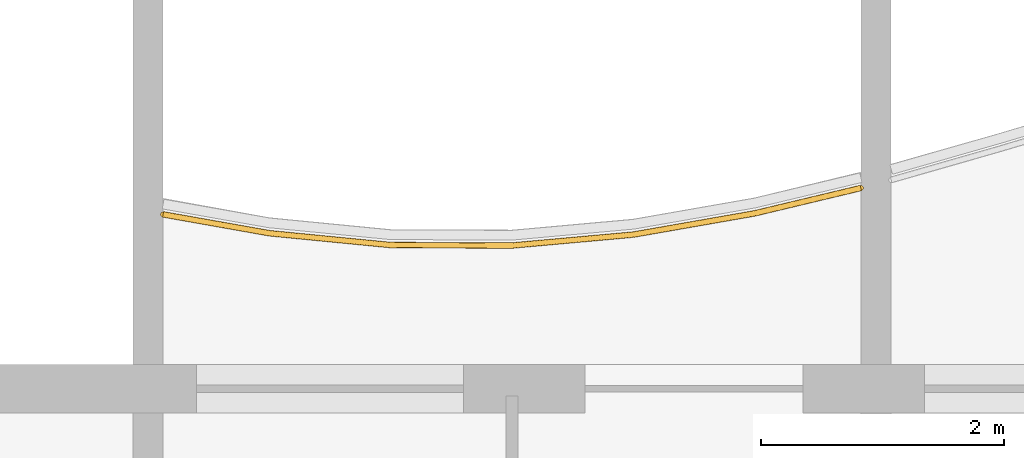
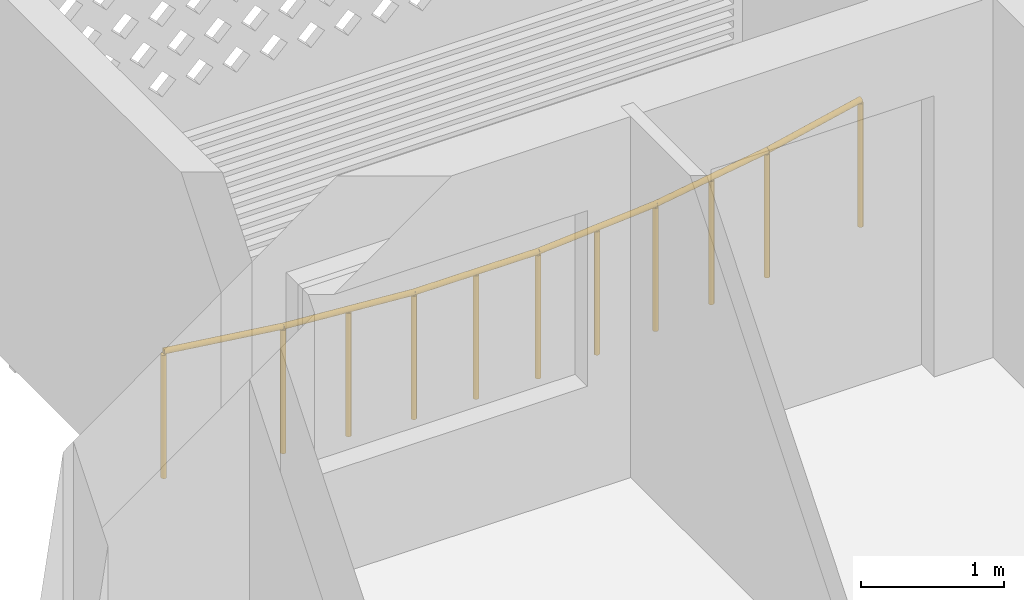
# One storey, part 16 of 27: 1 railing.
"""IFC4 building model written with IfcOpenShell, lengths in metres."""

from ifc_helpers import new_model, si_unit, direction, frame, origin, origin_2d, place, context, subcontext, project, spatial, circle, extrude, material, type_object, element, save


model = new_model("IFC4")

# Units and contexts
model_context = context("Model", 3, precision=1e-05, world=origin(), true_north=direction((0.0, 1.0)))
body_context = subcontext(model_context, "Body", "Model", "MODEL_VIEW")
ifc_project = project(units=[si_unit("LENGTHUNIT", "METRE"), si_unit("AREAUNIT", "SQUARE_METRE"), si_unit("VOLUMEUNIT", "CUBIC_METRE"), si_unit("PLANEANGLEUNIT", "RADIAN"), si_unit("MASSUNIT", "GRAM", prefix="KILO")], contexts=[model_context])

# Site, building, storey
site_placement = place(None, origin())
site = spatial("IfcSite", under=ifc_project, at=site_placement, CompositionType="ELEMENT")
building_placement = place(site_placement, origin())
building = spatial("IfcBuilding", under=site, at=building_placement, Name="Poui Terraces", CompositionType="ELEMENT")
storey_placement = place(building_placement, frame((0.0, 0.0, 204.89990234375)))
storey = spatial("IfcBuildingStorey", under=building, at=storey_placement, Name="L57", CompositionType="ELEMENT", Elevation=204.89990234375)

# Railing
ifc_material = material(Name="Painted steel fretwork", Category="steel")
railing_type = type_object("IfcRailingType", Name="BALCONY GUARD 1100", PredefinedType="GUARDRAIL", material=ifc_material)
railing_placement = place(storey_placement, frame((24.125, 42.63671875, 0.0)))
element("IfcRailing", 1, at=railing_placement, inside=storey, type_object=railing_type, Name="BALCONY GUARD", PredefinedType="GUARDRAIL", context=body_context, shape_type="SweptSolid", body=[
    extrude(circle(Radius=0.02392578125, at=origin_2d()), frame((0.0, 0.0, 1.076171875), z_axis=(0.984664397592, -0.17445923339, 0.0), x_axis=(0.17445923339, 0.984664397592, 0.0)), (0.0, 0.0, 1.0), 0.888671875),
    extrude(circle(Radius=0.02392578125, at=origin_2d()), frame((0.875, -0.155029296875, 1.076171875), z_axis=(0.995265465661, -0.097193893131, 0.0), x_axis=(0.097193893131, 0.995265465661, 0.0)), (0.0, 0.0, 1.0), 1.004638671875),
    extrude(circle(Radius=0.02392578125, at=origin_2d()), frame((1.875, -0.252685546875, 1.076171875), z_axis=(0.999992370693, -0.003906220198, 0.0), x_axis=(0.003906220198, 0.999992370693, 0.0)), (0.0, 0.0, 1.0), 1.0),
    extrude(circle(Radius=0.02392578125, at=origin_2d()), frame((2.875, -0.256591796875, 1.076171875), z_axis=(0.995966620108, 0.089724531938, 0.0), x_axis=(-0.089724531938, 0.995966620108, 0.0)), (0.0, 0.0, 1.0), 1.004150390625),
    extrude(circle(Radius=0.02392578125, at=origin_2d()), frame((3.875, -0.16650390625, 1.076171875), z_axis=(0.985022299221, 0.172426999156, 0.0), x_axis=(-0.172426999156, 0.985022299221, 0.0)), (0.0, 0.0, 1.0), 1.01513671875),
    extrude(circle(Radius=0.02392578125, at=origin_2d()), frame((4.875, 0.008544921875, 1.076171875), z_axis=(0.972642909815, 0.232305337835, 0.0), x_axis=(-0.232305337835, 0.972642909815, 0.0)), (0.0, 0.0, 1.0), 0.899658203125),
    extrude(circle(Radius=0.02099609375, at=origin_2d()), origin(), (0.0, 0.0, 1.0), 1.052001953125),
    extrude(circle(Radius=0.02099609375, at=origin_2d()), frame((0.875, -0.155029296875, 0.0)), (0.0, 0.0, 1.0), 1.052001953125),
    extrude(circle(Radius=0.02099609375, at=origin_2d()), frame((1.375, -0.203857421875, 0.0)), (0.0, 0.0, 1.0), 1.052001953125),
    extrude(circle(Radius=0.02099609375, at=origin_2d()), frame((1.875, -0.252685546875, 0.0)), (0.0, 0.0, 1.0), 1.052001953125),
    extrude(circle(Radius=0.02099609375, at=origin_2d()), frame((2.375, -0.254638671875, 0.0)), (0.0, 0.0, 1.0), 1.052001953125),
    extrude(circle(Radius=0.02099609375, at=origin_2d()), frame((2.875, -0.256591796875, 0.0)), (0.0, 0.0, 1.0), 1.052001953125),
    extrude(circle(Radius=0.02099609375, at=origin_2d()), frame((3.375, -0.21142578125, 0.0)), (0.0, 0.0, 1.0), 1.052001953125),
    extrude(circle(Radius=0.02099609375, at=origin_2d()), frame((3.875, -0.16650390625, 0.0)), (0.0, 0.0, 1.0), 1.052001953125),
    extrude(circle(Radius=0.02099609375, at=origin_2d()), frame((4.375, -0.0791015625, 0.0)), (0.0, 0.0, 1.0), 1.052001953125),
    extrude(circle(Radius=0.02099609375, at=origin_2d()), frame((4.875, 0.008544921875, 0.0)), (0.0, 0.0, 1.0), 1.052001953125),
    extrude(circle(Radius=0.02099609375, at=origin_2d()), frame((5.75, 0.217529296875, 0.0)), (0.0, 0.0, 1.0), 1.052001953125),
])

save(model, "model.ifc")
